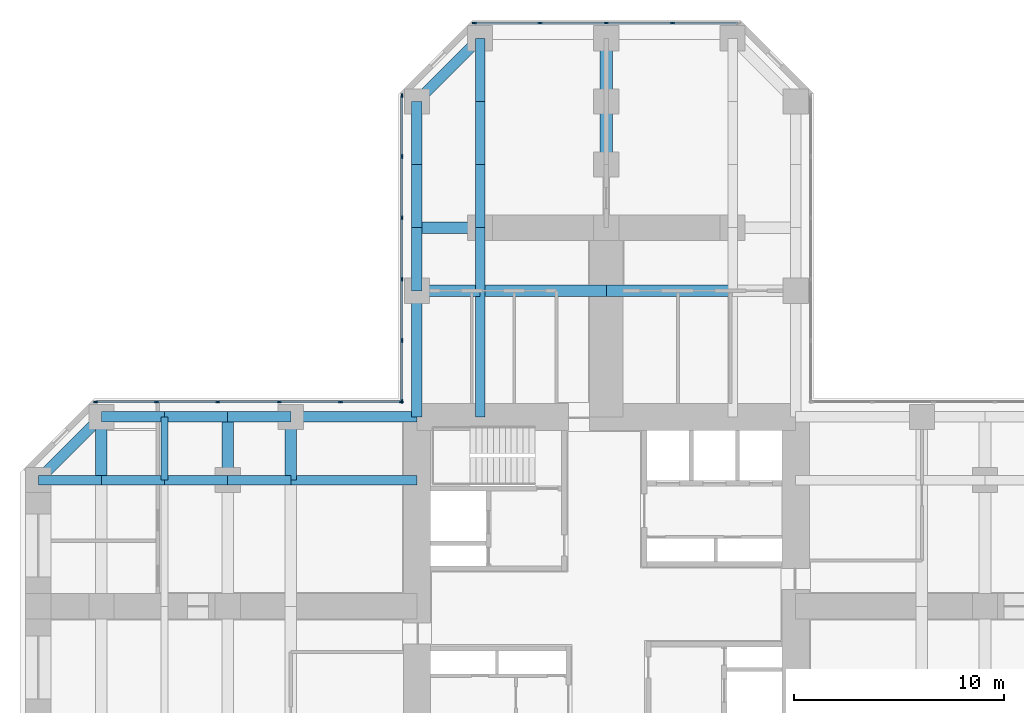
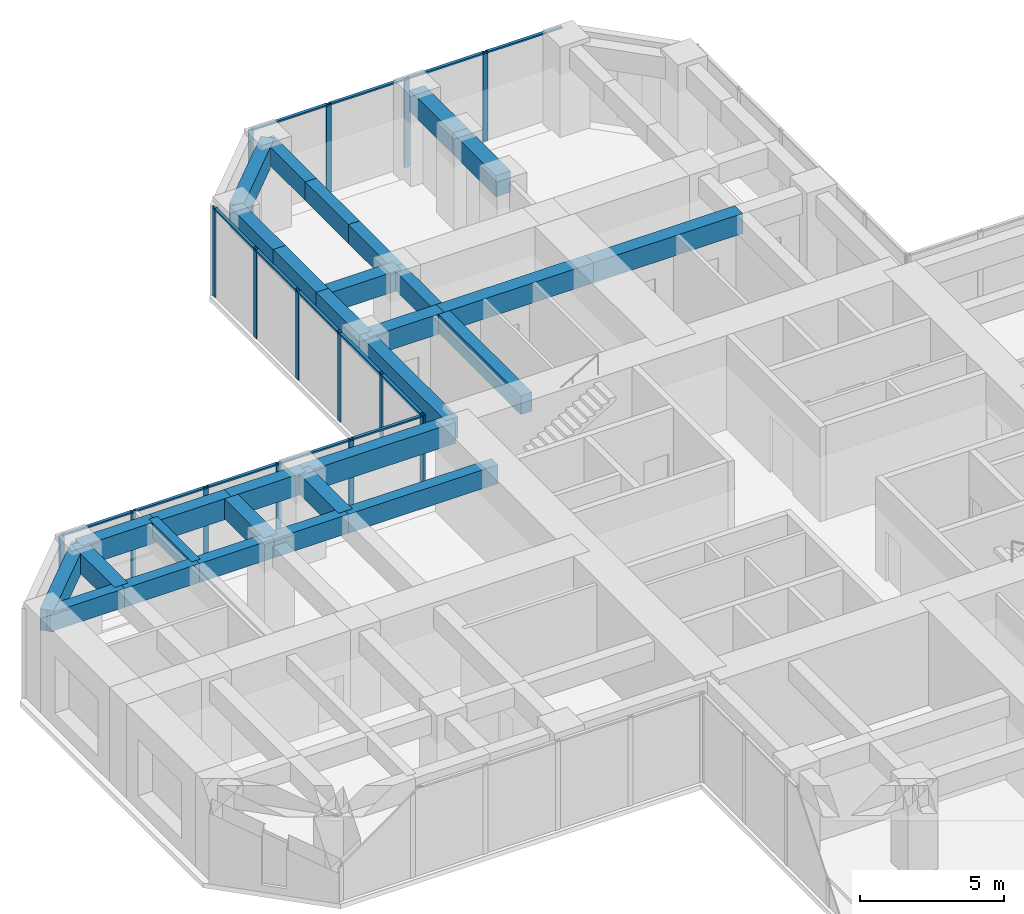
# One storey, part 5 of 12: 30 beams, 30 members, 3 elements without a shape of their own.
"""IFC4 building model written with IfcOpenShell, lengths in metres."""

from ifc_helpers import new_model, si_unit, direction, frame, origin, origin_2d, place, context, subcontext, project, spatial, rectangle, extrude, material, material_profile, profile_set, type_object, element, aggregate, save


model = new_model("IFC4")

# Units and contexts
model_context = context("Model", 3, precision=1e-05, world=origin(), true_north=direction((0.0, 1.0)))
body_context = subcontext(model_context, "Body", "Model", "MODEL_VIEW")
ifc_project = project(units=[si_unit("LENGTHUNIT", "METRE"), si_unit("AREAUNIT", "SQUARE_METRE"), si_unit("VOLUMEUNIT", "CUBIC_METRE"), si_unit("PLANEANGLEUNIT", "RADIAN"), si_unit("MASSUNIT", "GRAM", prefix="KILO")], contexts=[model_context])

# Site, building, storey
site_placement = place(None, origin())
site = spatial("IfcSite", under=ifc_project, at=site_placement, CompositionType="ELEMENT")
building_placement = place(site_placement, origin())
building = spatial("IfcBuilding", under=site, at=building_placement, Name="Torre Cruceta", CompositionType="ELEMENT")
storey_placement = place(building_placement, frame((0.0, 0.0, 75.5)))
storey = spatial("IfcBuildingStorey", under=building, at=storey_placement, Name="L18", CompositionType="ELEMENT", Elevation=75.5)

# Beams
ifc_material_1 = material(Name="Concrete G60 (fck 60 MPa)", Category="concrete")
ifc_material_profile_1 = material_profile(ifc_material_1, rectangle(XDim=0.60009765625, YDim=0.89990234375, at=origin_2d()), Name="RC 600X900")
ifc_profile_set_1 = profile_set([ifc_material_profile_1], Name="Concrete G60 (fck 60 MPa)")
beam_type_1 = type_object("IfcBeamType", Name="ARM CENTRE BEAM RC 600X900", PredefinedType="BEAM", material=ifc_profile_set_1)
for number, where, z_axis, x_axis, name in (
    (1, (0.0, 21.0, 3.35009765625), (0.0, 1.0, 0.0), (-1.0, 0.0, 0.0), "MB3 L18 N centre 1"),
    (2, (0.0, 24.0, 3.35009765625), (0.0, 1.0, 0.0), (-1.0, 0.0, 0.0), "MB3 L18 N centre 2"),
):
    element("IfcBeam", number, at=place(storey_placement, frame(where, z_axis=z_axis, x_axis=x_axis)), inside=storey, type_object=beam_type_1, Name=name, PredefinedType="BEAM", context=body_context, shape_type="SweptSolid", body=[
        extrude(rectangle(XDim=0.60009765625, YDim=0.89990234375, at=origin_2d()), origin(), (0.0, 0.0, 1.0), 3.0),
    ])
ifc_material_2 = material(Name="Concrete G60 (fck 60 MPa)", Category="concrete")
ifc_material_profile_2 = material_profile(ifc_material_2, rectangle(XDim=0.449951171875, YDim=0.800048828125, at=origin_2d()), Name="RC 450X800")
ifc_profile_set_2 = profile_set([ifc_material_profile_2], Name="Concrete G60 (fck 60 MPa)")
beam_type_2 = type_object("IfcBeamType", Name="COLUMN LINE BEAM RC 450X800", PredefinedType="BEAM", material=ifc_profile_set_2)
beam_1_placement = place(storey_placement, frame((-6.0, 9.0, 3.39990234375), z_axis=(0.0, 1.0, 0.0), x_axis=(-1.0, 0.0, 0.0)))
element("IfcBeam", 3, at=beam_1_placement, inside=storey, type_object=beam_type_2, Name="LB1 L18 N col+ 1", PredefinedType="BEAM", context=body_context, shape_type="SweptSolid", body=[
    extrude(rectangle(XDim=0.449951171875, YDim=0.800048828125, at=origin_2d()), origin(), (0.0, 0.0, 1.0), 6.0),
])
for number, where, z_axis, x_axis, name in (
    (4, (-6.0, 15.0, 3.39990234375), (0.0, 1.0, 0.0), (-1.0, 0.0, 0.0), "LB1 L18 N col+ 2"),
    (5, (-6.0, 18.0, 3.39990234375), (0.0, 1.0, 0.0), (-1.0, 0.0, 0.0), "LB1 L18 N col+ 3"),
    (6, (-6.0, 21.0, 3.39990234375), (0.0, 1.0, 0.0), (-1.0, 0.0, 0.0), "LB1 L18 N col+ 4"),
    (7, (-6.0, 24.0, 3.39990234375), (0.0, 1.0, 0.0), (-1.0, 0.0, 0.0), "LB1 L18 N col+ 5"),
):
    element("IfcBeam", number, at=place(storey_placement, frame(where, z_axis=z_axis, x_axis=x_axis)), inside=storey, type_object=beam_type_2, Name=name, PredefinedType="BEAM", context=body_context, shape_type="SweptSolid", body=[
        extrude(rectangle(XDim=0.449951171875, YDim=0.800048828125, at=origin_2d()), origin(), (0.0, 0.0, 1.0), 3.0),
    ])
beam_2_placement = place(storey_placement, frame((-9.0, 6.0, 3.39990234375), z_axis=(-1.0, 0.0, 0.0), x_axis=(0.0, -1.0, 0.0)))
element("IfcBeam", 8, at=beam_2_placement, inside=storey, type_object=beam_type_2, Name="LB1 L18 W col- 1", PredefinedType="BEAM", context=body_context, shape_type="SweptSolid", body=[
    extrude(rectangle(XDim=0.449951171875, YDim=0.800048828125, at=origin_2d()), origin(), (0.0, 0.0, 1.0), 6.0),
])
for number, where, z_axis, x_axis, name in (
    (9, (-15.0, 6.0, 3.39990234375), (-1.0, 0.0, 0.0), (0.0, -1.0, 0.0), "LB1 L18 W col- 2"),
    (10, (-18.0, 6.0, 3.39990234375), (-1.0, 0.0, 0.0), (0.0, -1.0, 0.0), "LB1 L18 W col- 3"),
    (11, (-21.0, 6.0, 3.39990234375), (-1.0, 0.0, 0.0), (0.0, -1.0, 0.0), "LB1 L18 W col- 4"),
    (12, (-24.0, 6.0, 3.39990234375), (-1.0, 0.0, 0.0), (0.0, -1.0, 0.0), "LB1 L18 W col- 5"),
):
    element("IfcBeam", number, at=place(storey_placement, frame(where, z_axis=z_axis, x_axis=x_axis)), inside=storey, type_object=beam_type_2, Name=name, PredefinedType="BEAM", context=body_context, shape_type="SweptSolid", body=[
        extrude(rectangle(XDim=0.449951171875, YDim=0.800048828125, at=origin_2d()), origin(), (0.0, 0.0, 1.0), 3.0),
    ])
ifc_material_3 = material(Name="Concrete G60 (fck 60 MPa)", Category="concrete")
ifc_material_profile_3 = material_profile(ifc_material_3, rectangle(XDim=0.550048828125, YDim=0.85009765625, at=origin_2d()), Name="RC 550X850")
ifc_profile_set_3 = profile_set([ifc_material_profile_3], Name="Concrete G60 (fck 60 MPa)")
beam_type_3 = type_object("IfcBeamType", Name="CROSS BEAM RC 550X850", PredefinedType="BEAM", material=ifc_profile_set_3)
for number, where, z_axis, x_axis, name in (
    (13, (6.0, 15.0, 3.375), (-1.0, 0.0, 0.0), (0.0, -1.0, 0.0), "GB4 L18 N cross15 2"),
    (14, (0.0, 15.0, 3.375), (-1.0, 0.0, 0.0), (0.0, -1.0, 0.0), "GB4 L18 N cross15 3"),
):
    element("IfcBeam", number, at=place(storey_placement, frame(where, z_axis=z_axis, x_axis=x_axis)), inside=storey, type_object=beam_type_3, Name=name, PredefinedType="BEAM", context=body_context, shape_type="SweptSolid", body=[
        extrude(rectangle(XDim=0.550048828125, YDim=0.85009765625, at=origin_2d()), origin(), (0.0, 0.0, 1.0), 6.0),
    ])
for number, where, z_axis, x_axis, name in (
    (15, (-6.0, 15.0, 3.375), (-1.0, 0.0, 0.0), (0.0, -1.0, 0.0), "GB4 L18 N cross15 4"),
    (16, (-6.0, 18.0, 3.375), (-1.0, 0.0, 0.0), (0.0, -1.0, 0.0), "GB4 L18 N cross18b 1"),
    (17, (-15.0, 9.0, 3.375), (0.0, -1.0, 0.0), (1.0, 0.0, 0.0), "GB4 L18 W cross15 1"),
    (18, (-18.0, 9.0, 3.375), (0.0, -1.0, 0.0), (1.0, 0.0, 0.0), "GB4 L18 W cross18 1"),
    (19, (-24.0, 9.0, 3.375), (0.0, -1.0, 0.0), (1.0, 0.0, 0.0), "GB4 L18 W cross24 1"),
):
    element("IfcBeam", number, at=place(storey_placement, frame(where, z_axis=z_axis, x_axis=x_axis)), inside=storey, type_object=beam_type_3, Name=name, PredefinedType="BEAM", context=body_context, shape_type="SweptSolid", body=[
        extrude(rectangle(XDim=0.550048828125, YDim=0.85009765625, at=origin_2d()), origin(), (0.0, 0.0, 1.0), 3.0),
    ])

# Curtain wall, members
ifc_material_4 = material(Name="Aluminium unitised curtain wall", Category="aluminium")
curtain_wall_type = type_object("IfcCurtainWallType", Name="CURTAIN WALL CW-A OFFICE LOW RISE", PredefinedType="USERDEFINED", material=ifc_material_4)
curtain_wall_1_placement = place(storey_placement, origin())
curtain_wall_1 = element("IfcCurtainWall", 20, at=curtain_wall_1_placement, inside=storey, type_object=curtain_wall_type, Name="CW-A L18 N tip 07", ObjectType="UNITISED", PredefinedType="USERDEFINED")
ifc_material_5 = material(Name="Aluminium mullion", Category="aluminium")
ifc_material_profile_4 = material_profile(ifc_material_5, rectangle(XDim=0.06494140625, YDim=0.199951171875, at=origin_2d()), Name="AL 65X200")
ifc_profile_set_4 = profile_set([ifc_material_profile_4], Name="Aluminium mullion")
member_type_1 = type_object("IfcMemberType", Name="CW-A MULLION 65X200", PredefinedType="MULLION", material=ifc_profile_set_4)
member_1_placement = place(storey_placement, frame((3.149169921875, 27.719970703125, 0.0), z_axis=(0.0, 0.0, 1.0), x_axis=(0.0, -1.0, 0.0)))
member_1 = element("IfcMember", 21, at=member_1_placement, type_object=member_type_1, Name="CW-A mullion 2", PredefinedType="MULLION", context=body_context, shape_type="SweptSolid", body=[
    extrude(rectangle(XDim=0.06494140625, YDim=0.199951171875, at=origin_2d()), origin(), (0.0, 0.0, 1.0), 3.800048828125),
])
member_2_placement = place(storey_placement, frame((0.0, 27.719970703125, 0.0), z_axis=(0.0, 0.0, 1.0), x_axis=(0.0, -1.0, 0.0)))
member_2 = element("IfcMember", 22, at=member_2_placement, type_object=member_type_1, Name="CW-A mullion 3", PredefinedType="MULLION", context=body_context, shape_type="SweptSolid", body=[
    extrude(rectangle(XDim=0.06494140625, YDim=0.199951171875, at=origin_2d()), origin(), (0.0, 0.0, 1.0), 3.800048828125),
])
member_3_placement = place(storey_placement, frame((-3.149169921875, 27.719970703125, 0.0), z_axis=(0.0, 0.0, 1.0), x_axis=(0.0, -1.0, 0.0)))
member_3 = element("IfcMember", 23, at=member_3_placement, type_object=member_type_1, Name="CW-A mullion 4", PredefinedType="MULLION", context=body_context, shape_type="SweptSolid", body=[
    extrude(rectangle(XDim=0.06494140625, YDim=0.199951171875, at=origin_2d()), origin(), (0.0, 0.0, 1.0), 3.800048828125),
])
member_4_placement = place(storey_placement, frame((-6.265625, 27.719970703125, 0.0), z_axis=(0.0, 0.0, 1.0), x_axis=(0.0, -1.0, 0.0)))
member_4 = element("IfcMember", 24, at=member_4_placement, type_object=member_type_1, Name="CW-A mullion 5", PredefinedType="MULLION", context=body_context, shape_type="SweptSolid", body=[
    extrude(rectangle(XDim=0.06494140625, YDim=0.199951171875, at=origin_2d()), origin(), (0.0, 0.0, 1.0), 3.800048828125),
])

curtain_wall_2_placement = place(storey_placement, origin())
curtain_wall_2 = element("IfcCurtainWall", 25, at=curtain_wall_2_placement, inside=storey, type_object=curtain_wall_type, Name="CW-A L18 N side 09", ObjectType="UNITISED", PredefinedType="USERDEFINED")
member_5_placement = place(storey_placement, frame((-9.719970703125, 24.265625, 0.0), z_axis=(0.0, 0.0, 1.0), x_axis=(1.0, 0.0, 0.0)))
member_5 = element("IfcMember", 26, at=member_5_placement, type_object=member_type_1, Name="CW-A mullion 1", PredefinedType="MULLION", context=body_context, shape_type="SweptSolid", body=[
    extrude(rectangle(XDim=0.06494140625, YDim=0.199951171875, at=origin_2d()), origin(), (0.0, 0.0, 1.0), 3.800048828125),
])
member_6_placement = place(storey_placement, frame((-9.719970703125, 21.382568359375, 0.0), z_axis=(0.0, 0.0, 1.0), x_axis=(1.0, 0.0, 0.0)))
member_6 = element("IfcMember", 27, at=member_6_placement, type_object=member_type_1, Name="CW-A mullion 2", PredefinedType="MULLION", context=body_context, shape_type="SweptSolid", body=[
    extrude(rectangle(XDim=0.06494140625, YDim=0.199951171875, at=origin_2d()), origin(), (0.0, 0.0, 1.0), 3.800048828125),
])
member_7_placement = place(storey_placement, frame((-9.719970703125, 18.467041015625, 0.0), z_axis=(0.0, 0.0, 1.0), x_axis=(1.0, 0.0, 0.0)))
member_7 = element("IfcMember", 28, at=member_7_placement, type_object=member_type_1, Name="CW-A mullion 3", PredefinedType="MULLION", context=body_context, shape_type="SweptSolid", body=[
    extrude(rectangle(XDim=0.06494140625, YDim=0.199951171875, at=origin_2d()), origin(), (0.0, 0.0, 1.0), 3.800048828125),
])
member_8_placement = place(storey_placement, frame((-9.719970703125, 15.55126953125, 0.0), z_axis=(0.0, 0.0, 1.0), x_axis=(1.0, 0.0, 0.0)))
member_8 = element("IfcMember", 29, at=member_8_placement, type_object=member_type_1, Name="CW-A mullion 4", PredefinedType="MULLION", context=body_context, shape_type="SweptSolid", body=[
    extrude(rectangle(XDim=0.06494140625, YDim=0.199951171875, at=origin_2d()), origin(), (0.0, 0.0, 1.0), 3.800048828125),
])
member_9_placement = place(storey_placement, frame((-9.719970703125, 12.6357421875, 0.0), z_axis=(0.0, 0.0, 1.0), x_axis=(1.0, 0.0, 0.0)))
member_9 = element("IfcMember", 30, at=member_9_placement, type_object=member_type_1, Name="CW-A mullion 5", PredefinedType="MULLION", context=body_context, shape_type="SweptSolid", body=[
    extrude(rectangle(XDim=0.06494140625, YDim=0.199951171875, at=origin_2d()), origin(), (0.0, 0.0, 1.0), 3.800048828125),
])
member_10_placement = place(storey_placement, frame((-9.719970703125, 9.75244140625, 0.0), z_axis=(0.0, 0.0, 1.0), x_axis=(1.0, 0.0, 0.0)))
member_10 = element("IfcMember", 31, at=member_10_placement, type_object=member_type_1, Name="CW-A mullion 6", PredefinedType="MULLION", context=body_context, shape_type="SweptSolid", body=[
    extrude(rectangle(XDim=0.06494140625, YDim=0.199951171875, at=origin_2d()), origin(), (0.0, 0.0, 1.0), 3.800048828125),
])

curtain_wall_3_placement = place(storey_placement, origin())
curtain_wall_3 = element("IfcCurtainWall", 32, at=curtain_wall_3_placement, inside=storey, type_object=curtain_wall_type, Name="CW-A L18 W side 10", ObjectType="UNITISED", PredefinedType="USERDEFINED")
member_11_placement = place(storey_placement, frame((-9.75244140625, 9.719970703125, 0.0), z_axis=(0.0, 0.0, 1.0), x_axis=(0.0, -1.0, 0.0)))
member_11 = element("IfcMember", 33, at=member_11_placement, type_object=member_type_1, Name="CW-A mullion 1", PredefinedType="MULLION", context=body_context, shape_type="SweptSolid", body=[
    extrude(rectangle(XDim=0.06494140625, YDim=0.199951171875, at=origin_2d()), origin(), (0.0, 0.0, 1.0), 3.800048828125),
])
member_12_placement = place(storey_placement, frame((-12.6357421875, 9.719970703125, 0.0), z_axis=(0.0, 0.0, 1.0), x_axis=(0.0, -1.0, 0.0)))
member_12 = element("IfcMember", 34, at=member_12_placement, type_object=member_type_1, Name="CW-A mullion 2", PredefinedType="MULLION", context=body_context, shape_type="SweptSolid", body=[
    extrude(rectangle(XDim=0.06494140625, YDim=0.199951171875, at=origin_2d()), origin(), (0.0, 0.0, 1.0), 3.800048828125),
])
member_13_placement = place(storey_placement, frame((-15.55126953125, 9.719970703125, 0.0), z_axis=(0.0, 0.0, 1.0), x_axis=(0.0, -1.0, 0.0)))
member_13 = element("IfcMember", 35, at=member_13_placement, type_object=member_type_1, Name="CW-A mullion 3", PredefinedType="MULLION", context=body_context, shape_type="SweptSolid", body=[
    extrude(rectangle(XDim=0.06494140625, YDim=0.199951171875, at=origin_2d()), origin(), (0.0, 0.0, 1.0), 3.800048828125),
])
member_14_placement = place(storey_placement, frame((-18.467041015625, 9.719970703125, 0.0), z_axis=(0.0, 0.0, 1.0), x_axis=(0.0, -1.0, 0.0)))
member_14 = element("IfcMember", 36, at=member_14_placement, type_object=member_type_1, Name="CW-A mullion 4", PredefinedType="MULLION", context=body_context, shape_type="SweptSolid", body=[
    extrude(rectangle(XDim=0.06494140625, YDim=0.199951171875, at=origin_2d()), origin(), (0.0, 0.0, 1.0), 3.800048828125),
])
member_15_placement = place(storey_placement, frame((-21.382568359375, 9.719970703125, 0.0), z_axis=(0.0, 0.0, 1.0), x_axis=(0.0, -1.0, 0.0)))
member_15 = element("IfcMember", 37, at=member_15_placement, type_object=member_type_1, Name="CW-A mullion 5", PredefinedType="MULLION", context=body_context, shape_type="SweptSolid", body=[
    extrude(rectangle(XDim=0.06494140625, YDim=0.199951171875, at=origin_2d()), origin(), (0.0, 0.0, 1.0), 3.800048828125),
])
member_16_placement = place(storey_placement, frame((-24.265625, 9.719970703125, 0.0), z_axis=(0.0, 0.0, 1.0), x_axis=(0.0, -1.0, 0.0)))
member_16 = element("IfcMember", 38, at=member_16_placement, type_object=member_type_1, Name="CW-A mullion 6", PredefinedType="MULLION", context=body_context, shape_type="SweptSolid", body=[
    extrude(rectangle(XDim=0.06494140625, YDim=0.199951171875, at=origin_2d()), origin(), (0.0, 0.0, 1.0), 3.800048828125),
])

# Member
ifc_material_6 = material(Name="Aluminium transom", Category="aluminium")
ifc_material_profile_5 = material_profile(ifc_material_6, rectangle(XDim=0.1201171875, YDim=0.06494140625, at=origin_2d()), Name="AL 120X65")
ifc_profile_set_5 = profile_set([ifc_material_profile_5], Name="Aluminium transom")
member_type_2 = type_object("IfcMemberType", Name="CW-A TRANSOM 65X120", PredefinedType="USERDEFINED", material=ifc_profile_set_5)
member_17_placement = place(storey_placement, frame((6.233154296875, 27.719970703125, 3.767578125), z_axis=(-1.0, 0.0, 0.0), x_axis=(0.0, -1.0, 0.0)))
member_17 = element("IfcMember", 39, at=member_17_placement, type_object=member_type_2, Name="CW-A transom 1", ObjectType="TRANSOM", PredefinedType="USERDEFINED", context=body_context, shape_type="SweptSolid", body=[
    extrude(rectangle(XDim=0.1201171875, YDim=0.06494140625, at=origin_2d()), origin(), (0.0, 0.0, 1.0), 3.051513671875),
])

member_18_placement = place(storey_placement, frame((3.11669921875, 27.719970703125, 3.767578125), z_axis=(-1.0, 0.0, 0.0), x_axis=(0.0, -1.0, 0.0)))
member_18 = element("IfcMember", 40, at=member_18_placement, type_object=member_type_2, Name="CW-A transom 2", ObjectType="TRANSOM", PredefinedType="USERDEFINED", context=body_context, shape_type="SweptSolid", body=[
    extrude(rectangle(XDim=0.1201171875, YDim=0.06494140625, at=origin_2d()), origin(), (0.0, 0.0, 1.0), 3.084228515625),
])

member_19_placement = place(storey_placement, frame((-0.032470703125, 27.719970703125, 3.767578125), z_axis=(-1.0, 0.0, 0.0), x_axis=(0.0, -1.0, 0.0)))
member_19 = element("IfcMember", 41, at=member_19_placement, type_object=member_type_2, Name="CW-A transom 3", ObjectType="TRANSOM", PredefinedType="USERDEFINED", context=body_context, shape_type="SweptSolid", body=[
    extrude(rectangle(XDim=0.1201171875, YDim=0.06494140625, at=origin_2d()), origin(), (0.0, 0.0, 1.0), 3.084228515625),
])

member_20_placement = place(storey_placement, frame((-3.181640625, 27.719970703125, 3.767578125), z_axis=(-1.0, 0.0, 0.0), x_axis=(0.0, -1.0, 0.0)))
member_20 = element("IfcMember", 42, at=member_20_placement, type_object=member_type_2, Name="CW-A transom 4", ObjectType="TRANSOM", PredefinedType="USERDEFINED", context=body_context, shape_type="SweptSolid", body=[
    extrude(rectangle(XDim=0.1201171875, YDim=0.06494140625, at=origin_2d()), origin(), (0.0, 0.0, 1.0), 3.051513671875),
])

aggregate(curtain_wall_1, [member_1, member_2, member_3, member_4, member_17, member_18, member_19, member_20])

member_21_placement = place(storey_placement, frame((-9.719970703125, 24.233154296875, 3.767578125), z_axis=(0.0, -1.0, 0.0), x_axis=(1.0, 0.0, 0.0)))
member_21 = element("IfcMember", 43, at=member_21_placement, type_object=member_type_2, Name="CW-A transom 1", ObjectType="TRANSOM", PredefinedType="USERDEFINED", context=body_context, shape_type="SweptSolid", body=[
    extrude(rectangle(XDim=0.1201171875, YDim=0.06494140625, at=origin_2d()), origin(), (0.0, 0.0, 1.0), 2.818115234375),
])

member_22_placement = place(storey_placement, frame((-9.719970703125, 21.35009765625, 3.767578125), z_axis=(0.0, -1.0, 0.0), x_axis=(1.0, 0.0, 0.0)))
member_22 = element("IfcMember", 44, at=member_22_placement, type_object=member_type_2, Name="CW-A transom 2", ObjectType="TRANSOM", PredefinedType="USERDEFINED", context=body_context, shape_type="SweptSolid", body=[
    extrude(rectangle(XDim=0.1201171875, YDim=0.06494140625, at=origin_2d()), origin(), (0.0, 0.0, 1.0), 2.8505859375),
])

member_23_placement = place(storey_placement, frame((-9.719970703125, 18.434326171875, 3.767578125), z_axis=(0.0, -1.0, 0.0), x_axis=(1.0, 0.0, 0.0)))
member_23 = element("IfcMember", 45, at=member_23_placement, type_object=member_type_2, Name="CW-A transom 3", ObjectType="TRANSOM", PredefinedType="USERDEFINED", context=body_context, shape_type="SweptSolid", body=[
    extrude(rectangle(XDim=0.1201171875, YDim=0.06494140625, at=origin_2d()), origin(), (0.0, 0.0, 1.0), 2.8505859375),
])

member_24_placement = place(storey_placement, frame((-9.719970703125, 15.518798828125, 3.767578125), z_axis=(0.0, -1.0, 0.0), x_axis=(1.0, 0.0, 0.0)))
member_24 = element("IfcMember", 46, at=member_24_placement, type_object=member_type_2, Name="CW-A transom 4", ObjectType="TRANSOM", PredefinedType="USERDEFINED", context=body_context, shape_type="SweptSolid", body=[
    extrude(rectangle(XDim=0.1201171875, YDim=0.06494140625, at=origin_2d()), origin(), (0.0, 0.0, 1.0), 2.8505859375),
])

member_25_placement = place(storey_placement, frame((-9.719970703125, 12.60302734375, 3.767578125), z_axis=(0.0, -1.0, 0.0), x_axis=(1.0, 0.0, 0.0)))
member_25 = element("IfcMember", 47, at=member_25_placement, type_object=member_type_2, Name="CW-A transom 5", ObjectType="TRANSOM", PredefinedType="USERDEFINED", context=body_context, shape_type="SweptSolid", body=[
    extrude(rectangle(XDim=0.1201171875, YDim=0.06494140625, at=origin_2d()), origin(), (0.0, 0.0, 1.0), 2.818115234375),
])

aggregate(curtain_wall_2, [member_5, member_6, member_7, member_8, member_9, member_10, member_21, member_22, member_23, member_24, member_25])

member_26_placement = place(storey_placement, frame((-9.784912109375, 9.719970703125, 3.767578125), z_axis=(-1.0, 0.0, 0.0), x_axis=(0.0, -1.0, 0.0)))
member_26 = element("IfcMember", 48, at=member_26_placement, type_object=member_type_2, Name="CW-A transom 1", ObjectType="TRANSOM", PredefinedType="USERDEFINED", context=body_context, shape_type="SweptSolid", body=[
    extrude(rectangle(XDim=0.1201171875, YDim=0.06494140625, at=origin_2d()), origin(), (0.0, 0.0, 1.0), 2.818115234375),
])

member_27_placement = place(storey_placement, frame((-12.668212890625, 9.719970703125, 3.767578125), z_axis=(-1.0, 0.0, 0.0), x_axis=(0.0, -1.0, 0.0)))
member_27 = element("IfcMember", 49, at=member_27_placement, type_object=member_type_2, Name="CW-A transom 2", ObjectType="TRANSOM", PredefinedType="USERDEFINED", context=body_context, shape_type="SweptSolid", body=[
    extrude(rectangle(XDim=0.1201171875, YDim=0.06494140625, at=origin_2d()), origin(), (0.0, 0.0, 1.0), 2.8505859375),
])

member_28_placement = place(storey_placement, frame((-15.583740234375, 9.719970703125, 3.767578125), z_axis=(-1.0, 0.0, 0.0), x_axis=(0.0, -1.0, 0.0)))
member_28 = element("IfcMember", 50, at=member_28_placement, type_object=member_type_2, Name="CW-A transom 3", ObjectType="TRANSOM", PredefinedType="USERDEFINED", context=body_context, shape_type="SweptSolid", body=[
    extrude(rectangle(XDim=0.1201171875, YDim=0.06494140625, at=origin_2d()), origin(), (0.0, 0.0, 1.0), 2.8505859375),
])

member_29_placement = place(storey_placement, frame((-18.49951171875, 9.719970703125, 3.767578125), z_axis=(-1.0, 0.0, 0.0), x_axis=(0.0, -1.0, 0.0)))
member_29 = element("IfcMember", 51, at=member_29_placement, type_object=member_type_2, Name="CW-A transom 4", ObjectType="TRANSOM", PredefinedType="USERDEFINED", context=body_context, shape_type="SweptSolid", body=[
    extrude(rectangle(XDim=0.1201171875, YDim=0.06494140625, at=origin_2d()), origin(), (0.0, 0.0, 1.0), 2.8505859375),
])

member_30_placement = place(storey_placement, frame((-21.4150390625, 9.719970703125, 3.767578125), z_axis=(-1.0, 0.0, 0.0), x_axis=(0.0, -1.0, 0.0)))
member_30 = element("IfcMember", 52, at=member_30_placement, type_object=member_type_2, Name="CW-A transom 5", ObjectType="TRANSOM", PredefinedType="USERDEFINED", context=body_context, shape_type="SweptSolid", body=[
    extrude(rectangle(XDim=0.1201171875, YDim=0.06494140625, at=origin_2d()), origin(), (0.0, 0.0, 1.0), 2.818115234375),
])

aggregate(curtain_wall_3, [member_11, member_12, member_13, member_14, member_15, member_16, member_26, member_27, member_28, member_29, member_30])

# Beams
ifc_material_7 = material(Name="Concrete G60 (fck 60 MPa)", Category="concrete")
ifc_material_profile_6 = material_profile(ifc_material_7, rectangle(XDim=0.35009765625, YDim=0.64990234375, at=origin_2d()), Name="RC 350X650")
ifc_profile_set_6 = profile_set([ifc_material_profile_6], Name="Concrete G60 (fck 60 MPa)")
beam_type_4 = type_object("IfcBeamType", Name="SECONDARY BEAM RC 350X650", PredefinedType="JOIST", material=ifc_profile_set_6)
beam_3_placement = place(storey_placement, frame((-21.0, 9.0, 3.47509765625), z_axis=(0.0, -1.0, 0.0), x_axis=(1.0, 0.0, 0.0)))
element("IfcBeam", 53, at=beam_3_placement, inside=storey, type_object=beam_type_4, Name="JB3 L18 W sec21 1", PredefinedType="JOIST", context=body_context, shape_type="SweptSolid", body=[
    extrude(rectangle(XDim=0.35009765625, YDim=0.64990234375, at=origin_2d()), origin(), (0.0, 0.0, 1.0), 3.0),
])
ifc_material_8 = material(Name="Concrete G60 (fck 60 MPa)", Category="concrete")
ifc_material_profile_7 = material_profile(ifc_material_8, rectangle(XDim=0.5, YDim=0.89990234375, at=origin_2d()), Name="RC 500X900")
ifc_profile_set_7 = profile_set([ifc_material_profile_7], Name="Concrete G60 (fck 60 MPa)")
beam_type_5 = type_object("IfcBeamType", Name="SPANDREL BEAM RC 500X900", PredefinedType="SPANDREL", material=ifc_profile_set_7)
beam_4_placement = place(storey_placement, frame((-9.0, 9.0, 3.35009765625), z_axis=(0.0, 1.0, 0.0), x_axis=(-1.0, 0.0, 0.0)))
element("IfcBeam", 54, at=beam_4_placement, inside=storey, type_object=beam_type_5, Name="SB4 L18 N side+ 1", PredefinedType="SPANDREL", context=body_context, shape_type="SweptSolid", body=[
    extrude(rectangle(XDim=0.5, YDim=0.89990234375, at=origin_2d()), origin(), (0.0, 0.0, 1.0), 6.0),
])
for number, where, z_axis, x_axis, name in (
    (55, (-9.0, 15.0, 3.35009765625), (0.0, 1.0, 0.0), (-1.0, 0.0, 0.0), "SB4 L18 N side+ 2"),
    (56, (-9.0, 18.0, 3.35009765625), (0.0, 1.0, 0.0), (-1.0, 0.0, 0.0), "SB4 L18 N side+ 3"),
    (57, (-9.0, 21.0, 3.35009765625), (0.0, 1.0, 0.0), (-1.0, 0.0, 0.0), "SB4 L18 N side+ 4"),
):
    element("IfcBeam", number, at=place(storey_placement, frame(where, z_axis=z_axis, x_axis=x_axis)), inside=storey, type_object=beam_type_5, Name=name, PredefinedType="SPANDREL", context=body_context, shape_type="SweptSolid", body=[
        extrude(rectangle(XDim=0.5, YDim=0.89990234375, at=origin_2d()), origin(), (0.0, 0.0, 1.0), 3.0),
    ])
beam_5_placement = place(storey_placement, frame((-9.0, 24.0, 3.35009765625), z_axis=(0.707106781187, 0.707106781187, 0.0), x_axis=(-0.707106781187, 0.707106781187, 0.0)))
element("IfcBeam", 58, at=beam_5_placement, inside=storey, type_object=beam_type_5, Name="SB4 L18 N side+ 5", PredefinedType="SPANDREL", context=body_context, shape_type="SweptSolid", body=[
    extrude(rectangle(XDim=0.5, YDim=0.89990234375, at=origin_2d()), origin(), (0.0, 0.0, 1.0), 4.24267578125),
])
beam_6_placement = place(storey_placement, frame((-9.0, 9.0, 3.35009765625), z_axis=(-1.0, 0.0, 0.0), x_axis=(0.0, -1.0, 0.0)))
element("IfcBeam", 59, at=beam_6_placement, inside=storey, type_object=beam_type_5, Name="SB4 L18 W side- 1", PredefinedType="SPANDREL", context=body_context, shape_type="SweptSolid", body=[
    extrude(rectangle(XDim=0.5, YDim=0.89990234375, at=origin_2d()), origin(), (0.0, 0.0, 1.0), 6.0),
])
for number, where, z_axis, x_axis, name in (
    (60, (-15.0, 9.0, 3.35009765625), (-1.0, 0.0, 0.0), (0.0, -1.0, 0.0), "SB4 L18 W side- 2"),
    (61, (-18.0, 9.0, 3.35009765625), (-1.0, 0.0, 0.0), (0.0, -1.0, 0.0), "SB4 L18 W side- 3"),
    (62, (-21.0, 9.0, 3.35009765625), (-1.0, 0.0, 0.0), (0.0, -1.0, 0.0), "SB4 L18 W side- 4"),
):
    element("IfcBeam", number, at=place(storey_placement, frame(where, z_axis=z_axis, x_axis=x_axis)), inside=storey, type_object=beam_type_5, Name=name, PredefinedType="SPANDREL", context=body_context, shape_type="SweptSolid", body=[
        extrude(rectangle(XDim=0.5, YDim=0.89990234375, at=origin_2d()), origin(), (0.0, 0.0, 1.0), 3.0),
    ])
beam_7_placement = place(storey_placement, frame((-24.0, 9.0, 3.35009765625), z_axis=(-0.707106781187, -0.707106781187, 0.0), x_axis=(0.707106781187, -0.707106781187, 0.0)))
element("IfcBeam", 63, at=beam_7_placement, inside=storey, type_object=beam_type_5, Name="SB4 L18 W side- 5", PredefinedType="SPANDREL", context=body_context, shape_type="SweptSolid", body=[
    extrude(rectangle(XDim=0.5, YDim=0.89990234375, at=origin_2d()), origin(), (0.0, 0.0, 1.0), 4.24267578125),
])

save(model, "model.ifc")
